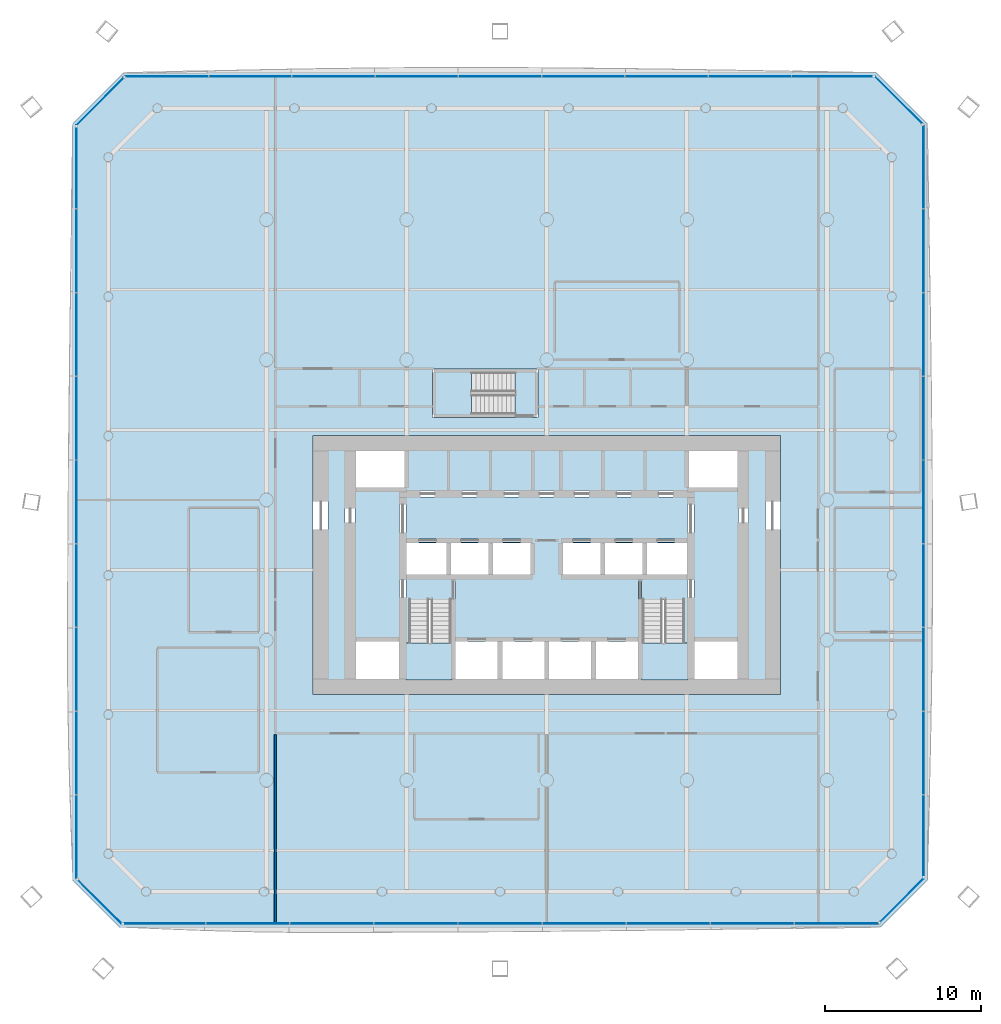
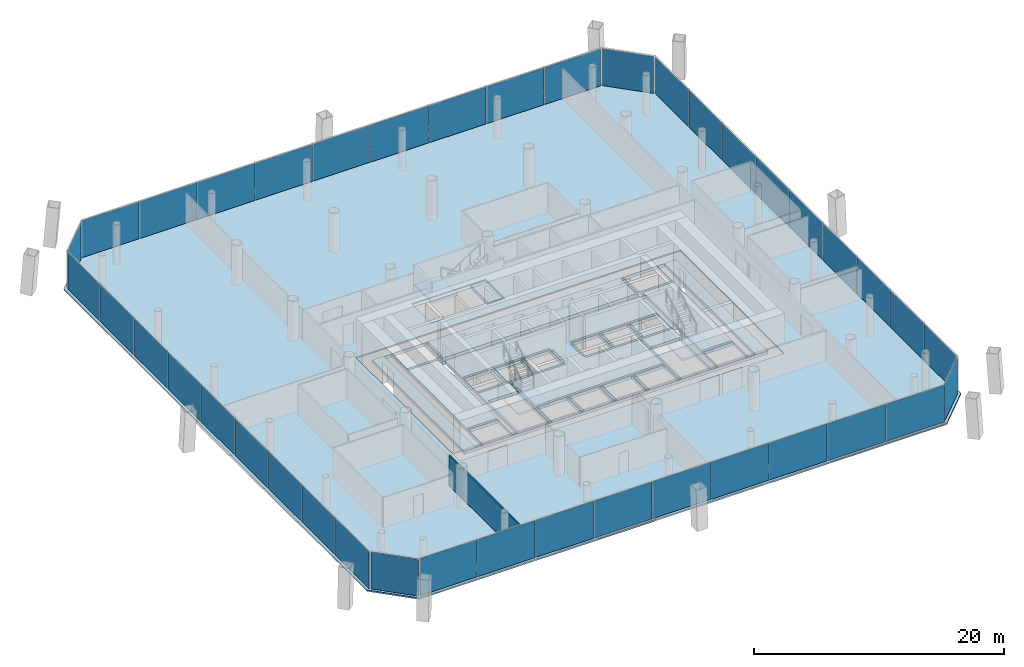
# One storey, part 13 of 22: 40 plates, 6 slabs, 1 wall, 11 elements without a shape of their own.
"""IFC4 building model written with IfcOpenShell, lengths in metres."""

import ifcopenshell
import ifcopenshell.guid

model = None  # the IFC model being written
_history = None  # IfcOwnerHistory: only IFC2X3 demands one
_inside = {}  # id of a spatial element -> (the spatial element, [elements in it])
_under = {}  # id of a project, library or spatial element -> (it, [spatial elements below it])
_declared = {}  # id of a project -> (the project, [libraries it declares])
_typed = {}  # id of a type object -> (the type object, [elements of that type])
_made_of = {}  # id of a material, layer set ... -> (it, [elements and type objects made of it])


def new_model(schema):
    """Start an empty IFC model of exactly this schema.

    Asked for "IFC4X3", IfcOpenShell would pick the latest addendum, in which some entities
    have other attributes; the version numbers below select the first issue.
    IFC2X3 requires an IfcOwnerHistory on every rooted entity: one is made here for all.
    """
    global model, _history
    if schema == "IFC4X3":
        model = ifcopenshell.file(schema_version=(4, 3, 0, 0))
    else:
        model = ifcopenshell.file(schema=schema)
    _inside.clear()
    _under.clear()
    _declared.clear()
    _typed.clear()
    _made_of.clear()
    _history = None
    if model.schema == "IFC2X3":
        org = make("IfcOrganization", Name="unknown")
        user = make(
            "IfcPersonAndOrganization",
            ThePerson=make("IfcPerson", FamilyName="unknown"),
            TheOrganization=org,
        )
        app = make(
            "IfcApplication",
            ApplicationDeveloper=org,
            Version="unknown",
            ApplicationFullName="unknown",
            ApplicationIdentifier="unknown",
        )
        _history = make(
            "IfcOwnerHistory",
            OwningUser=user,
            OwningApplication=app,
            ChangeAction="ADDED",
            CreationDate=0,
        )
    return model


def make(cls, **values):
    """One entity of the class cls with the attributes given. An attribute that is None is left unset."""
    return model.create_entity(
        cls, **{name: value for name, value in values.items() if value is not None}
    )


def rooted(cls, **values):
    """An entity with a GlobalId (a new one), such as an element, a storey or a relation."""
    return make(cls, GlobalId=ifcopenshell.guid.new(), OwnerHistory=_history, **values)


def si_unit(unit_type, name, prefix=None):
    """IfcSIUnit, for example si_unit("LENGTHUNIT", "METRE", prefix="MILLI")."""
    return make("IfcSIUnit", UnitType=unit_type, Prefix=prefix, Name=name)


def assignment(units):
    """IfcUnitAssignment: the units of a project."""
    return None if units is None else make("IfcUnitAssignment", Units=units)


def point(xyz):
    """IfcCartesianPoint."""
    return None if xyz is None else make("IfcCartesianPoint", Coordinates=xyz)


def direction(xyz):
    """IfcDirection."""
    return None if xyz is None else make("IfcDirection", DirectionRatios=xyz)


def frame(location, z_axis=None, x_axis=None):
    """IfcAxis2Placement3D, a coordinate frame: its origin and axes. An axis left out is left unset."""
    return make(
        "IfcAxis2Placement3D",
        Location=point(location),
        Axis=direction(z_axis),
        RefDirection=direction(x_axis),
    )


def frame_2d(location, x_axis=None):
    """IfcAxis2Placement2D, a coordinate frame in the plane: its origin and x axis."""
    return make(
        "IfcAxis2Placement2D", Location=point(location), RefDirection=direction(x_axis)
    )


def origin():
    """The frame at (0, 0, 0) with its axes left unset."""
    return frame((0.0, 0.0, 0.0))


def origin_2d():
    """The frame at (0, 0) in the plane with its x axis left unset."""
    return frame_2d((0.0, 0.0))


def place(relative_to, where):
    """IfcLocalPlacement: puts the frame where relative to a parent placement (None: the world)."""
    return make(
        "IfcLocalPlacement", PlacementRelTo=relative_to, RelativePlacement=where
    )


def context(
    kind, dimensions, precision=None, world=None, true_north=None, identifier=None
):
    """IfcGeometricRepresentationContext, for example the 3D "Model" context."""
    return make(
        "IfcGeometricRepresentationContext",
        ContextIdentifier=identifier,
        ContextType=kind,
        CoordinateSpaceDimension=dimensions,
        Precision=precision,
        WorldCoordinateSystem=world,
        TrueNorth=true_north,
    )


def subcontext(parent, identifier, kind, view, scale=None):
    """IfcGeometricRepresentationSubContext, for example "Body" below "Model"."""
    return make(
        "IfcGeometricRepresentationSubContext",
        ContextIdentifier=identifier,
        ContextType=kind,
        ParentContext=parent,
        TargetScale=scale,
        TargetView=view,
    )


def project(units=None, contexts=None):
    """IfcProject with its units and contexts."""
    return rooted(
        "IfcProject",
        Name="project",
        RepresentationContexts=contexts,
        UnitsInContext=assignment(units),
    )


def spatial(cls, under=None, at=None, **own):
    """A site, building, storey or space (cls), placed at a placement, below another one or the project."""
    s = rooted(cls, ObjectPlacement=at, **own)
    if under is not None:
        _under.setdefault(under.id(), (under, []))[1].append(s)
    return s


def polyline(points):
    """IfcPolyline through the points."""
    return make("IfcPolyline", Points=[point(p) for p in points])


def profile(cls, at=None, kind="AREA", **sizes):
    """A parametric profile (cls). Its sizes go by their IFC names, for example OverallWidth=200.0."""
    return make(cls, ProfileType=kind, Position=at, **sizes)


def rectangle(**sizes):
    """IfcRectangleProfileDef."""
    return profile("IfcRectangleProfileDef", **sizes)


def outline(outer, holes=None, kind="AREA"):
    """IfcArbitraryClosedProfileDef: a profile drawn as a closed curve; with holes, ...WithVoids."""
    if holes is None:
        return make("IfcArbitraryClosedProfileDef", ProfileType=kind, OuterCurve=outer)
    return make(
        "IfcArbitraryProfileDefWithVoids",
        ProfileType=kind,
        OuterCurve=outer,
        InnerCurves=holes,
    )


def extrude(swept, where, along, depth):
    """IfcExtrudedAreaSolid: the profile swept, set in the frame where, extruded along a direction by depth."""
    return make(
        "IfcExtrudedAreaSolid",
        SweptArea=swept,
        Position=where,
        ExtrudedDirection=direction(along),
        Depth=depth,
    )


def shape(context_of_items, identifier, shape_type, items):
    """IfcShapeRepresentation: the items that make up one representation, for example the "Body"."""
    return make(
        "IfcShapeRepresentation",
        ContextOfItems=context_of_items,
        RepresentationIdentifier=identifier,
        RepresentationType=shape_type,
        Items=items,
    )


def material(Name=None, Category=None):
    """IfcMaterial."""
    return make("IfcMaterial", Name=Name, Category=Category)


def layer(
    of_material, thickness, ventilated=None, Name=None, Category=None, Priority=None
):
    """IfcMaterialLayer: one layer of a wall or slab, of a material (None: an air gap)."""
    return make(
        "IfcMaterialLayer",
        Material=of_material,
        LayerThickness=thickness,
        IsVentilated=ventilated,
        Name=Name,
        Category=Category,
        Priority=Priority,
    )


def layer_set(layers, Name=None):
    """IfcMaterialLayerSet."""
    return make("IfcMaterialLayerSet", MaterialLayers=layers, LayerSetName=Name)


def made_of(thing, what):
    """Note that an element or type object is made of a material, layer set ...; save() writes the relation."""
    if what is not None:
        _made_of.setdefault(what.id(), (what, []))[1].append(thing)
    return thing


def type_object(cls, material=None, **own):
    """A type object (cls), such as IfcWallType, which elements share."""
    return made_of(rooted(cls, **own), material)


def element(
    cls,
    number,
    at=None,
    inside=None,
    cuts=None,
    type_object=None,
    material=None,
    context=None,
    identifier="Body",
    shape_type=None,
    held_by="IfcProductDefinitionShape",
    body=None,
    shapes=None,
    **own,
):
    """One element of the class cls, such as IfcWall. Its Tag is "e" and its number.

    at: its placement. inside: the storey or other place that contains it. cuts: it is an
    opening in that element (IfcRelVoidsElement). A single representation is given by context,
    identifier, shape_type and body (its items); several are given by shapes. held_by: the class
    of the entity that holds the representations. save() writes the other relations.
    """
    e = rooted(cls, Tag="e%d" % number, ObjectPlacement=at, **own)
    if body is not None:
        shapes = [shape(context, identifier, shape_type, body)]
    if shapes is not None:
        e.Representation = make(held_by, Representations=shapes)
    if inside is not None:
        _inside.setdefault(inside.id(), (inside, []))[1].append(e)
    if cuts is not None:
        rooted(
            "IfcRelVoidsElement", RelatingBuildingElement=cuts, RelatedOpeningElement=e
        )
    if type_object is not None:
        _typed.setdefault(type_object.id(), (type_object, []))[1].append(e)
    return made_of(e, material)


def aggregate(whole, parts):
    """IfcRelAggregates: a whole, such as a stair, and the parts it consists of."""
    return rooted("IfcRelAggregates", RelatingObject=whole, RelatedObjects=parts)


def save(model, path):
    """Write the relations noted so far, then the file.

    IfcRelAggregates (storeys below a building ...), IfcRelContainedInSpatialStructure (elements
    in a storey), IfcRelDefinesByType, IfcRelAssociatesMaterial and IfcRelDeclares: one each for
    every whole, place, type object, material and project.
    """
    for whole, parts in _under.values():
        aggregate(whole, parts)
    for where, things in _inside.values():
        rooted(
            "IfcRelContainedInSpatialStructure",
            RelatedElements=things,
            RelatingStructure=where,
        )
    for kind, things in _typed.values():
        rooted("IfcRelDefinesByType", RelatedObjects=things, RelatingType=kind)
    for what, things in _made_of.values():
        rooted("IfcRelAssociatesMaterial", RelatedObjects=things, RelatingMaterial=what)
    for by, libraries in _declared.values():
        rooted("IfcRelDeclares", RelatingContext=by, RelatedDefinitions=libraries)
    model.write(path)


model = new_model("IFC4")

# Units and contexts
model_context = context("Model", 3, precision=1e-05, world=origin(), true_north=direction((0.0, 1.0)))
body_context = subcontext(model_context, "Body", "Model", "MODEL_VIEW")
ifc_project = project(units=[si_unit("LENGTHUNIT", "METRE"), si_unit("AREAUNIT", "SQUARE_METRE"), si_unit("VOLUMEUNIT", "CUBIC_METRE"), si_unit("PLANEANGLEUNIT", "RADIAN"), si_unit("MASSUNIT", "GRAM", prefix="KILO")], contexts=[model_context])

# Site, building, storey
site_placement = place(None, origin())
site = spatial("IfcSite", under=ifc_project, at=site_placement, CompositionType="ELEMENT")
building_placement = place(site_placement, origin())
building = spatial("IfcBuilding", under=site, at=building_placement, Name="Tskaro Facet Tower", CompositionType="ELEMENT")
storey_placement = place(building_placement, frame((0.0, 0.0, 26.39990234375)))
storey = spatial("IfcBuildingStorey", under=building, at=storey_placement, Name="L05", CompositionType="ELEMENT", Elevation=26.39990234375)

# Slab
ifc_material_1 = material(Name="Concrete C30/37", Category="concrete")
ifc_layer_1 = layer(ifc_material_1, 0.139892578125, Name="Concrete C30/37")
ifc_layer_set_1 = layer_set([ifc_layer_1], Name="Concrete C30/37")
slab_type_1 = type_object("IfcSlabType", Name="Composite deck floor slab", PredefinedType="FLOOR", material=ifc_layer_set_1)
slab_1_placement = place(storey_placement, frame((0.0, 0.0, -0.139892578125)))
element("IfcSlab", 1, at=slab_1_placement, inside=storey, type_object=slab_type_1, Name="Floor slab FS3 L05", PredefinedType="FLOOR", context=body_context, shape_type="SweptSolid", body=[
    extrude(outline(polyline([(-27.408935546875, -27.451904296875), (21.408935546875, -27.451904296875), (24.451904296875, -24.408935546875), (24.451904296875, 24.169921875), (21.169921875, 27.451904296875), (-27.169921875, 27.451904296875), (-30.451904296875, 24.169921875), (-30.451904296875, -24.408935546875), (-27.408935546875, -27.451904296875)]), holes=[polyline([(-15.0, -12.5), (15.0, -12.5), (15.0, 4.14990234375), (-15.0, 4.14990234375), (-15.0, -12.5)]), polyline([(-7.35009765625, 5.300048828125), (-0.550048828125, 5.300048828125), (-0.550048828125, 8.39990234375), (-7.35009765625, 8.39990234375), (-7.35009765625, 5.300048828125)])]), origin(), (0.0, 0.0, 1.0), 0.139892578125),
])

# Curtain wall, plates
ifc_material_2 = material(Name="Bronze anodised aluminium 6063-T6", Category="aluminium")
curtain_wall_type = type_object("IfcCurtainWallType", Name="Bronze office curtain wall (FW1)", PredefinedType="NOTDEFINED", material=ifc_material_2)
curtain_wall_1_placement = place(storey_placement, origin())
curtain_wall_1 = element("IfcCurtainWall", 2, at=curtain_wall_1_placement, inside=storey, type_object=curtain_wall_type, Name="FW1 south facet L05", PredefinedType="NOTDEFINED")
ifc_material_3 = material(Name="Bronze tinted glass", Category="glass")
ifc_layer_2 = layer(ifc_material_3, 0.031982421875, Name="Bronze tinted glass")
ifc_layer_set_2 = layer_set([ifc_layer_2], Name="Bronze tinted glass")
plate_type = type_object("IfcPlateType", Name="FW1 bronze-tinted unit glazing 32", PredefinedType="CURTAIN_PANEL", material=ifc_layer_set_2)
plate_1_placement = place(storey_placement, frame((-24.53955078125, -27.201904296875, 0.0), z_axis=(0.0, 0.0, 1.0), x_axis=(1.0, 0.0, 0.0)))
plate_1 = element("IfcPlate", 3, at=plate_1_placement, type_object=plate_type, Name="FW1 south glazing 1.1", PredefinedType="CURTAIN_PANEL", context=body_context, shape_type="SweptSolid", body=[
    extrude(rectangle(XDim=5.211181640625, YDim=0.031982421875, at=origin_2d()), origin(), (0.0, 0.0, 1.0), 3.60009765625),
])
plate_2_placement = place(storey_placement, frame((-19.203369140625, -27.201904296875, 0.0), z_axis=(0.0, 0.0, 1.0), x_axis=(1.0, 0.0, 0.0)))
plate_2 = element("IfcPlate", 4, at=plate_2_placement, type_object=plate_type, Name="FW1 south glazing 2.1", PredefinedType="CURTAIN_PANEL", context=body_context, shape_type="SweptSolid", body=[
    extrude(rectangle(XDim=5.341064453125, YDim=0.031982421875, at=origin_2d()), origin(), (0.0, 0.0, 1.0), 3.60009765625),
])
plate_3_placement = place(storey_placement, frame((-13.80224609375, -27.201904296875, 0.0), z_axis=(0.0, 0.0, 1.0), x_axis=(1.0, 0.0, 0.0)))
plate_3 = element("IfcPlate", 5, at=plate_3_placement, type_object=plate_type, Name="FW1 south glazing 3.1", PredefinedType="CURTAIN_PANEL", context=body_context, shape_type="SweptSolid", body=[
    extrude(rectangle(XDim=5.341064453125, YDim=0.031982421875, at=origin_2d()), origin(), (0.0, 0.0, 1.0), 3.60009765625),
])
plate_4_placement = place(storey_placement, frame((-8.401123046875, -27.201904296875, 0.0), z_axis=(0.0, 0.0, 1.0), x_axis=(1.0, 0.0, 0.0)))
plate_4 = element("IfcPlate", 6, at=plate_4_placement, type_object=plate_type, Name="FW1 south glazing 4.1", PredefinedType="CURTAIN_PANEL", context=body_context, shape_type="SweptSolid", body=[
    extrude(rectangle(XDim=5.341064453125, YDim=0.031982421875, at=origin_2d()), origin(), (0.0, 0.0, 1.0), 3.60009765625),
])
plate_5_placement = place(storey_placement, frame((-3.0, -27.201904296875, 0.0), z_axis=(0.0, 0.0, 1.0), x_axis=(1.0, 0.0, 0.0)))
plate_5 = element("IfcPlate", 7, at=plate_5_placement, type_object=plate_type, Name="FW1 south glazing 5.1", PredefinedType="CURTAIN_PANEL", context=body_context, shape_type="SweptSolid", body=[
    extrude(rectangle(XDim=5.341064453125, YDim=0.031982421875, at=origin_2d()), origin(), (0.0, 0.0, 1.0), 3.60009765625),
])
plate_6_placement = place(storey_placement, frame((2.401123046875, -27.201904296875, 0.0), z_axis=(0.0, 0.0, 1.0), x_axis=(1.0, 0.0, 0.0)))
plate_6 = element("IfcPlate", 8, at=plate_6_placement, type_object=plate_type, Name="FW1 south glazing 6.1", PredefinedType="CURTAIN_PANEL", context=body_context, shape_type="SweptSolid", body=[
    extrude(rectangle(XDim=5.341064453125, YDim=0.031982421875, at=origin_2d()), origin(), (0.0, 0.0, 1.0), 3.60009765625),
])
plate_7_placement = place(storey_placement, frame((7.80224609375, -27.201904296875, 0.0), z_axis=(0.0, 0.0, 1.0), x_axis=(1.0, 0.0, 0.0)))
plate_7 = element("IfcPlate", 9, at=plate_7_placement, type_object=plate_type, Name="FW1 south glazing 7.1", PredefinedType="CURTAIN_PANEL", context=body_context, shape_type="SweptSolid", body=[
    extrude(rectangle(XDim=5.341064453125, YDim=0.031982421875, at=origin_2d()), origin(), (0.0, 0.0, 1.0), 3.60009765625),
])
plate_8_placement = place(storey_placement, frame((13.203369140625, -27.201904296875, 0.0), z_axis=(0.0, 0.0, 1.0), x_axis=(1.0, 0.0, 0.0)))
plate_8 = element("IfcPlate", 10, at=plate_8_placement, type_object=plate_type, Name="FW1 south glazing 8.1", PredefinedType="CURTAIN_PANEL", context=body_context, shape_type="SweptSolid", body=[
    extrude(rectangle(XDim=5.341064453125, YDim=0.031982421875, at=origin_2d()), origin(), (0.0, 0.0, 1.0), 3.60009765625),
])
plate_9_placement = place(storey_placement, frame((18.619384765625, -27.201904296875, 0.0), z_axis=(0.0, 0.0, 1.0), x_axis=(1.0, 0.0, 0.0)))
plate_9 = element("IfcPlate", 11, at=plate_9_placement, type_object=plate_type, Name="FW1 south glazing 9.1", PredefinedType="CURTAIN_PANEL", context=body_context, shape_type="SweptSolid", body=[
    extrude(rectangle(XDim=5.37109375, YDim=0.031982421875, at=origin_2d()), origin(), (0.0, 0.0, 1.0), 3.60009765625),
])
aggregate(curtain_wall_1, [plate_1, plate_2, plate_3, plate_4, plate_5, plate_6, plate_7, plate_8, plate_9])

# Curtain wall, plate
curtain_wall_2_placement = place(storey_placement, origin())
curtain_wall_2 = element("IfcCurtainWall", 12, at=curtain_wall_2_placement, inside=storey, type_object=curtain_wall_type, Name="FW1 south-east facet L05", PredefinedType="NOTDEFINED")
plate_10_placement = place(storey_placement, frame((22.81005859375, -25.697021484375, 0.0), z_axis=(0.0, 0.0, 1.0), x_axis=(0.707106781187, 0.707106781187, 0.0)))
plate_10 = element("IfcPlate", 13, at=plate_10_placement, type_object=plate_type, Name="FW1 south-east glazing 1.1", PredefinedType="CURTAIN_PANEL", context=body_context, shape_type="SweptSolid", body=[
    extrude(rectangle(XDim=3.93701171875, YDim=0.031982421875, at=origin_2d()), origin(), (0.0, 0.0, 1.0), 3.60009765625),
])
aggregate(curtain_wall_2, [plate_10])

# Curtain wall, plates
curtain_wall_3_placement = place(storey_placement, origin())
curtain_wall_3 = element("IfcCurtainWall", 14, at=curtain_wall_3_placement, inside=storey, type_object=curtain_wall_type, Name="FW1 east facet L05", PredefinedType="NOTDEFINED")
plate_11_placement = place(storey_placement, frame((24.201904296875, -21.552734375, 0.0), z_axis=(0.0, 0.0, 1.0), x_axis=(0.0, 1.0, 0.0)))
plate_11 = element("IfcPlate", 15, at=plate_11_placement, type_object=plate_type, Name="FW1 east glazing 1.1", PredefinedType="CURTAIN_PANEL", context=body_context, shape_type="SweptSolid", body=[
    extrude(rectangle(XDim=5.1845703125, YDim=0.031982421875, at=origin_2d()), origin(), (0.0, 0.0, 1.0), 3.60009765625),
])
plate_12_placement = place(storey_placement, frame((24.201904296875, -16.2431640625, 0.0), z_axis=(0.0, 0.0, 1.0), x_axis=(0.0, 1.0, 0.0)))
plate_12 = element("IfcPlate", 16, at=plate_12_placement, type_object=plate_type, Name="FW1 east glazing 2.1", PredefinedType="CURTAIN_PANEL", context=body_context, shape_type="SweptSolid", body=[
    extrude(rectangle(XDim=5.314453125, YDim=0.031982421875, at=origin_2d()), origin(), (0.0, 0.0, 1.0), 3.60009765625),
])
plate_13_placement = place(storey_placement, frame((24.201904296875, -10.86865234375, 0.0), z_axis=(0.0, 0.0, 1.0), x_axis=(0.0, 1.0, 0.0)))
plate_13 = element("IfcPlate", 17, at=plate_13_placement, type_object=plate_type, Name="FW1 east glazing 3.1", PredefinedType="CURTAIN_PANEL", context=body_context, shape_type="SweptSolid", body=[
    extrude(rectangle(XDim=5.314453125, YDim=0.031982421875, at=origin_2d()), origin(), (0.0, 0.0, 1.0), 3.60009765625),
])
plate_14_placement = place(storey_placement, frame((24.201904296875, -5.494140625, 0.0), z_axis=(0.0, 0.0, 1.0), x_axis=(0.0, 1.0, 0.0)))
plate_14 = element("IfcPlate", 18, at=plate_14_placement, type_object=plate_type, Name="FW1 east glazing 4.1", PredefinedType="CURTAIN_PANEL", context=body_context, shape_type="SweptSolid", body=[
    extrude(rectangle(XDim=5.314453125, YDim=0.031982421875, at=origin_2d()), origin(), (0.0, 0.0, 1.0), 3.60009765625),
])
plate_15_placement = place(storey_placement, frame((24.201904296875, -0.119384765625, 0.0), z_axis=(0.0, 0.0, 1.0), x_axis=(0.0, 1.0, 0.0)))
plate_15 = element("IfcPlate", 19, at=plate_15_placement, type_object=plate_type, Name="FW1 east glazing 5.1", PredefinedType="CURTAIN_PANEL", context=body_context, shape_type="SweptSolid", body=[
    extrude(rectangle(XDim=5.314453125, YDim=0.031982421875, at=origin_2d()), origin(), (0.0, 0.0, 1.0), 3.60009765625),
])
plate_16_placement = place(storey_placement, frame((24.201904296875, 5.255126953125, 0.0), z_axis=(0.0, 0.0, 1.0), x_axis=(0.0, 1.0, 0.0)))
plate_16 = element("IfcPlate", 20, at=plate_16_placement, type_object=plate_type, Name="FW1 east glazing 6.1", PredefinedType="CURTAIN_PANEL", context=body_context, shape_type="SweptSolid", body=[
    extrude(rectangle(XDim=5.314453125, YDim=0.031982421875, at=origin_2d()), origin(), (0.0, 0.0, 1.0), 3.60009765625),
])
plate_17_placement = place(storey_placement, frame((24.201904296875, 10.629638671875, 0.0), z_axis=(0.0, 0.0, 1.0), x_axis=(0.0, 1.0, 0.0)))
plate_17 = element("IfcPlate", 21, at=plate_17_placement, type_object=plate_type, Name="FW1 east glazing 7.1", PredefinedType="CURTAIN_PANEL", context=body_context, shape_type="SweptSolid", body=[
    extrude(rectangle(XDim=5.314453125, YDim=0.031982421875, at=origin_2d()), origin(), (0.0, 0.0, 1.0), 3.60009765625),
])
plate_18_placement = place(storey_placement, frame((24.201904296875, 16.004150390625, 0.0), z_axis=(0.0, 0.0, 1.0), x_axis=(0.0, 1.0, 0.0)))
plate_18 = element("IfcPlate", 22, at=plate_18_placement, type_object=plate_type, Name="FW1 east glazing 8.1", PredefinedType="CURTAIN_PANEL", context=body_context, shape_type="SweptSolid", body=[
    extrude(rectangle(XDim=5.314453125, YDim=0.031982421875, at=origin_2d()), origin(), (0.0, 0.0, 1.0), 3.60009765625),
])
plate_19_placement = place(storey_placement, frame((24.201904296875, 21.393798828125, 0.0), z_axis=(0.0, 0.0, 1.0), x_axis=(0.0, 1.0, 0.0)))
plate_19 = element("IfcPlate", 23, at=plate_19_placement, type_object=plate_type, Name="FW1 east glazing 9.1", PredefinedType="CURTAIN_PANEL", context=body_context, shape_type="SweptSolid", body=[
    extrude(rectangle(XDim=5.344482421875, YDim=0.031982421875, at=origin_2d()), origin(), (0.0, 0.0, 1.0), 3.60009765625),
])
aggregate(curtain_wall_3, [plate_11, plate_12, plate_13, plate_14, plate_15, plate_16, plate_17, plate_18, plate_19])

# Curtain wall, plate
curtain_wall_4_placement = place(storey_placement, origin())
curtain_wall_4 = element("IfcCurtainWall", 24, at=curtain_wall_4_placement, inside=storey, type_object=curtain_wall_type, Name="FW1 north-east facet L05", PredefinedType="NOTDEFINED")
plate_20_placement = place(storey_placement, frame((22.577392578125, 25.690673828125, 0.0), z_axis=(0.0, 0.0, 1.0), x_axis=(-0.707106781187, 0.707106781187, 0.0)))
plate_20 = element("IfcPlate", 25, at=plate_20_placement, type_object=plate_type, Name="FW1 north-east glazing 1.1", PredefinedType="CURTAIN_PANEL", context=body_context, shape_type="SweptSolid", body=[
    extrude(rectangle(XDim=4.27490234375, YDim=0.031982421875, at=origin_2d()), origin(), (0.0, 0.0, 1.0), 3.60009765625),
])
aggregate(curtain_wall_4, [plate_20])

# Curtain wall, plates
curtain_wall_5_placement = place(storey_placement, origin())
curtain_wall_5 = element("IfcCurtainWall", 26, at=curtain_wall_5_placement, inside=storey, type_object=curtain_wall_type, Name="FW1 north facet L05", PredefinedType="NOTDEFINED")
plate_21_placement = place(storey_placement, frame((18.326904296875, 27.201904296875, 0.0), z_axis=(0.0, 0.0, 1.0), x_axis=(-1.0, 0.0, 0.0)))
plate_21 = element("IfcPlate", 27, at=plate_21_placement, type_object=plate_type, Name="FW1 north glazing 1.1", PredefinedType="CURTAIN_PANEL", context=body_context, shape_type="SweptSolid", body=[
    extrude(rectangle(XDim=5.157958984375, YDim=0.031982421875, at=origin_2d()), origin(), (0.0, 0.0, 1.0), 3.60009765625),
])
plate_22_placement = place(storey_placement, frame((13.0439453125, 27.201904296875, 0.0), z_axis=(0.0, 0.0, 1.0), x_axis=(-1.0, 0.0, 0.0)))
plate_22 = element("IfcPlate", 28, at=plate_22_placement, type_object=plate_type, Name="FW1 north glazing 2.1", PredefinedType="CURTAIN_PANEL", context=body_context, shape_type="SweptSolid", body=[
    extrude(rectangle(XDim=5.2880859375, YDim=0.031982421875, at=origin_2d()), origin(), (0.0, 0.0, 1.0), 3.60009765625),
])
plate_23_placement = place(storey_placement, frame((7.696044921875, 27.201904296875, 0.0), z_axis=(0.0, 0.0, 1.0), x_axis=(-1.0, 0.0, 0.0)))
plate_23 = element("IfcPlate", 29, at=plate_23_placement, type_object=plate_type, Name="FW1 north glazing 3.1", PredefinedType="CURTAIN_PANEL", context=body_context, shape_type="SweptSolid", body=[
    extrude(rectangle(XDim=5.2880859375, YDim=0.031982421875, at=origin_2d()), origin(), (0.0, 0.0, 1.0), 3.60009765625),
])
plate_24_placement = place(storey_placement, frame((2.347900390625, 27.201904296875, 0.0), z_axis=(0.0, 0.0, 1.0), x_axis=(-1.0, 0.0, 0.0)))
plate_24 = element("IfcPlate", 30, at=plate_24_placement, type_object=plate_type, Name="FW1 north glazing 4.1", PredefinedType="CURTAIN_PANEL", context=body_context, shape_type="SweptSolid", body=[
    extrude(rectangle(XDim=5.2880859375, YDim=0.031982421875, at=origin_2d()), origin(), (0.0, 0.0, 1.0), 3.60009765625),
])
plate_25_placement = place(storey_placement, frame((-3.0, 27.201904296875, 0.0), z_axis=(0.0, 0.0, 1.0), x_axis=(-1.0, 0.0, 0.0)))
plate_25 = element("IfcPlate", 31, at=plate_25_placement, type_object=plate_type, Name="FW1 north glazing 5.1", PredefinedType="CURTAIN_PANEL", context=body_context, shape_type="SweptSolid", body=[
    extrude(rectangle(XDim=5.2880859375, YDim=0.031982421875, at=origin_2d()), origin(), (0.0, 0.0, 1.0), 3.60009765625),
])
plate_26_placement = place(storey_placement, frame((-8.347900390625, 27.201904296875, 0.0), z_axis=(0.0, 0.0, 1.0), x_axis=(-1.0, 0.0, 0.0)))
plate_26 = element("IfcPlate", 32, at=plate_26_placement, type_object=plate_type, Name="FW1 north glazing 6.1", PredefinedType="CURTAIN_PANEL", context=body_context, shape_type="SweptSolid", body=[
    extrude(rectangle(XDim=5.2880859375, YDim=0.031982421875, at=origin_2d()), origin(), (0.0, 0.0, 1.0), 3.60009765625),
])
plate_27_placement = place(storey_placement, frame((-13.696044921875, 27.201904296875, 0.0), z_axis=(0.0, 0.0, 1.0), x_axis=(-1.0, 0.0, 0.0)))
plate_27 = element("IfcPlate", 33, at=plate_27_placement, type_object=plate_type, Name="FW1 north glazing 7.1", PredefinedType="CURTAIN_PANEL", context=body_context, shape_type="SweptSolid", body=[
    extrude(rectangle(XDim=5.2880859375, YDim=0.031982421875, at=origin_2d()), origin(), (0.0, 0.0, 1.0), 3.60009765625),
])
plate_28_placement = place(storey_placement, frame((-19.0439453125, 27.201904296875, 0.0), z_axis=(0.0, 0.0, 1.0), x_axis=(-1.0, 0.0, 0.0)))
plate_28 = element("IfcPlate", 34, at=plate_28_placement, type_object=plate_type, Name="FW1 north glazing 8.1", PredefinedType="CURTAIN_PANEL", context=body_context, shape_type="SweptSolid", body=[
    extrude(rectangle(XDim=5.2880859375, YDim=0.031982421875, at=origin_2d()), origin(), (0.0, 0.0, 1.0), 3.60009765625),
])
plate_29_placement = place(storey_placement, frame((-24.406982421875, 27.201904296875, 0.0), z_axis=(0.0, 0.0, 1.0), x_axis=(-1.0, 0.0, 0.0)))
plate_29 = element("IfcPlate", 35, at=plate_29_placement, type_object=plate_type, Name="FW1 north glazing 9.1", PredefinedType="CURTAIN_PANEL", context=body_context, shape_type="SweptSolid", body=[
    extrude(rectangle(XDim=5.318115234375, YDim=0.031982421875, at=origin_2d()), origin(), (0.0, 0.0, 1.0), 3.60009765625),
])
aggregate(curtain_wall_5, [plate_21, plate_22, plate_23, plate_24, plate_25, plate_26, plate_27, plate_28, plate_29])

# Curtain wall, plate
curtain_wall_6_placement = place(storey_placement, origin())
curtain_wall_6 = element("IfcCurtainWall", 36, at=curtain_wall_6_placement, inside=storey, type_object=curtain_wall_type, Name="FW1 north-west facet L05", PredefinedType="NOTDEFINED")
plate_30_placement = place(storey_placement, frame((-28.690673828125, 25.577392578125, 0.0), z_axis=(0.0, 0.0, 1.0), x_axis=(-0.707106781187, -0.707106781187, 0.0)))
plate_30 = element("IfcPlate", 37, at=plate_30_placement, type_object=plate_type, Name="FW1 north-west glazing 1.1", PredefinedType="CURTAIN_PANEL", context=body_context, shape_type="SweptSolid", body=[
    extrude(rectangle(XDim=4.27490234375, YDim=0.031982421875, at=origin_2d()), origin(), (0.0, 0.0, 1.0), 3.60009765625),
])
aggregate(curtain_wall_6, [plate_30])

# Curtain wall, plates
curtain_wall_7_placement = place(storey_placement, origin())
curtain_wall_7 = element("IfcCurtainWall", 38, at=curtain_wall_7_placement, inside=storey, type_object=curtain_wall_type, Name="FW1 west facet L05", PredefinedType="NOTDEFINED")
plate_31_placement = place(storey_placement, frame((-30.201904296875, 21.313720703125, 0.0), z_axis=(0.0, 0.0, 1.0), x_axis=(0.0, -1.0, 0.0)))
plate_31 = element("IfcPlate", 39, at=plate_31_placement, type_object=plate_type, Name="FW1 west glazing 1.1", PredefinedType="CURTAIN_PANEL", context=body_context, shape_type="SweptSolid", body=[
    extrude(rectangle(XDim=5.1845703125, YDim=0.031982421875, at=origin_2d()), origin(), (0.0, 0.0, 1.0), 3.60009765625),
])
plate_32_placement = place(storey_placement, frame((-30.201904296875, 16.004150390625, 0.0), z_axis=(0.0, 0.0, 1.0), x_axis=(0.0, -1.0, 0.0)))
plate_32 = element("IfcPlate", 40, at=plate_32_placement, type_object=plate_type, Name="FW1 west glazing 2.1", PredefinedType="CURTAIN_PANEL", context=body_context, shape_type="SweptSolid", body=[
    extrude(rectangle(XDim=5.314453125, YDim=0.031982421875, at=origin_2d()), origin(), (0.0, 0.0, 1.0), 3.60009765625),
])
plate_33_placement = place(storey_placement, frame((-30.201904296875, 10.629638671875, 0.0), z_axis=(0.0, 0.0, 1.0), x_axis=(0.0, -1.0, 0.0)))
plate_33 = element("IfcPlate", 41, at=plate_33_placement, type_object=plate_type, Name="FW1 west glazing 3.1", PredefinedType="CURTAIN_PANEL", context=body_context, shape_type="SweptSolid", body=[
    extrude(rectangle(XDim=5.314453125, YDim=0.031982421875, at=origin_2d()), origin(), (0.0, 0.0, 1.0), 3.60009765625),
])
plate_34_placement = place(storey_placement, frame((-30.201904296875, 5.255126953125, 0.0), z_axis=(0.0, 0.0, 1.0), x_axis=(0.0, -1.0, 0.0)))
plate_34 = element("IfcPlate", 42, at=plate_34_placement, type_object=plate_type, Name="FW1 west glazing 4.1", PredefinedType="CURTAIN_PANEL", context=body_context, shape_type="SweptSolid", body=[
    extrude(rectangle(XDim=5.314453125, YDim=0.031982421875, at=origin_2d()), origin(), (0.0, 0.0, 1.0), 3.60009765625),
])
plate_35_placement = place(storey_placement, frame((-30.201904296875, -0.119384765625, 0.0), z_axis=(0.0, 0.0, 1.0), x_axis=(0.0, -1.0, 0.0)))
plate_35 = element("IfcPlate", 43, at=plate_35_placement, type_object=plate_type, Name="FW1 west glazing 5.1", PredefinedType="CURTAIN_PANEL", context=body_context, shape_type="SweptSolid", body=[
    extrude(rectangle(XDim=5.314453125, YDim=0.031982421875, at=origin_2d()), origin(), (0.0, 0.0, 1.0), 3.60009765625),
])
plate_36_placement = place(storey_placement, frame((-30.201904296875, -5.494140625, 0.0), z_axis=(0.0, 0.0, 1.0), x_axis=(0.0, -1.0, 0.0)))
plate_36 = element("IfcPlate", 44, at=plate_36_placement, type_object=plate_type, Name="FW1 west glazing 6.1", PredefinedType="CURTAIN_PANEL", context=body_context, shape_type="SweptSolid", body=[
    extrude(rectangle(XDim=5.314453125, YDim=0.031982421875, at=origin_2d()), origin(), (0.0, 0.0, 1.0), 3.60009765625),
])
plate_37_placement = place(storey_placement, frame((-30.201904296875, -10.86865234375, 0.0), z_axis=(0.0, 0.0, 1.0), x_axis=(0.0, -1.0, 0.0)))
plate_37 = element("IfcPlate", 45, at=plate_37_placement, type_object=plate_type, Name="FW1 west glazing 7.1", PredefinedType="CURTAIN_PANEL", context=body_context, shape_type="SweptSolid", body=[
    extrude(rectangle(XDim=5.314453125, YDim=0.031982421875, at=origin_2d()), origin(), (0.0, 0.0, 1.0), 3.60009765625),
])
plate_38_placement = place(storey_placement, frame((-30.201904296875, -16.2431640625, 0.0), z_axis=(0.0, 0.0, 1.0), x_axis=(0.0, -1.0, 0.0)))
plate_38 = element("IfcPlate", 46, at=plate_38_placement, type_object=plate_type, Name="FW1 west glazing 8.1", PredefinedType="CURTAIN_PANEL", context=body_context, shape_type="SweptSolid", body=[
    extrude(rectangle(XDim=5.314453125, YDim=0.031982421875, at=origin_2d()), origin(), (0.0, 0.0, 1.0), 3.60009765625),
])
plate_39_placement = place(storey_placement, frame((-30.201904296875, -21.6328125, 0.0), z_axis=(0.0, 0.0, 1.0), x_axis=(0.0, -1.0, 0.0)))
plate_39 = element("IfcPlate", 47, at=plate_39_placement, type_object=plate_type, Name="FW1 west glazing 9.1", PredefinedType="CURTAIN_PANEL", context=body_context, shape_type="SweptSolid", body=[
    extrude(rectangle(XDim=5.344482421875, YDim=0.031982421875, at=origin_2d()), origin(), (0.0, 0.0, 1.0), 3.60009765625),
])
aggregate(curtain_wall_7, [plate_31, plate_32, plate_33, plate_34, plate_35, plate_36, plate_37, plate_38, plate_39])

# Curtain wall, plate
curtain_wall_8_placement = place(storey_placement, origin())
curtain_wall_8 = element("IfcCurtainWall", 48, at=curtain_wall_8_placement, inside=storey, type_object=curtain_wall_type, Name="FW1 south-west facet L05", PredefinedType="NOTDEFINED")
plate_40_placement = place(storey_placement, frame((-28.697021484375, -25.81005859375, 0.0), z_axis=(0.0, 0.0, 1.0), x_axis=(0.707106781187, -0.707106781187, 0.0)))
plate_40 = element("IfcPlate", 49, at=plate_40_placement, type_object=plate_type, Name="FW1 south-west glazing 1.1", PredefinedType="CURTAIN_PANEL", context=body_context, shape_type="SweptSolid", body=[
    extrude(rectangle(XDim=3.93701171875, YDim=0.031982421875, at=origin_2d()), origin(), (0.0, 0.0, 1.0), 3.60009765625),
])
aggregate(curtain_wall_8, [plate_40])

# Stair, slab
ifc_material_4 = material(Name="Concrete C40/50", Category="concrete")
stair_type = type_object("IfcStairType", Name="ST-TWR", PredefinedType="HALF_TURN_STAIR", material=ifc_material_4)
stair_1_placement = place(storey_placement, origin())
stair_1 = element("IfcStair", 50, at=stair_1_placement, inside=storey, type_object=stair_type, Name="L05 Exit stair 1", PredefinedType="HALF_TURN_STAIR")
ifc_layer_3 = layer(ifc_material_4, 0.199951171875, Name="Concrete C40/50")
ifc_layer_set_3 = layer_set([ifc_layer_3], Name="Concrete C40/50")
slab_type_2 = type_object("IfcSlabType", Name="SL-LANDING", PredefinedType="LANDING", material=ifc_layer_set_3)
slab_2_placement = place(storey_placement, frame((0.0, 0.0, 1.75)))
slab_2 = element("IfcSlab", 51, at=slab_2_placement, type_object=slab_type_2, Name="ST-1 landing 1", PredefinedType="LANDING", context=body_context, shape_type="SweptSolid", body=[
    extrude(outline(polyline([(-9.050048828125, -11.550048828125), (-6.10009765625, -11.550048828125), (-6.10009765625, -9.175048828125), (-9.050048828125, -9.175048828125), (-9.050048828125, -11.550048828125)])), origin(), (0.0, 0.0, 1.0), 0.2001953125),
])
aggregate(stair_1, [slab_2])

stair_2_placement = place(storey_placement, origin())
stair_2 = element("IfcStair", 52, at=stair_2_placement, inside=storey, type_object=stair_type, Name="L05 Exit stair 2", PredefinedType="HALF_TURN_STAIR")
slab_3_placement = place(storey_placement, frame((0.0, 0.0, 1.75)))
slab_3 = element("IfcSlab", 53, at=slab_3_placement, type_object=slab_type_2, Name="ST-2 landing 1", PredefinedType="LANDING", context=body_context, shape_type="SweptSolid", body=[
    extrude(outline(polyline([(6.10009765625, -11.550048828125), (9.050048828125, -11.550048828125), (9.050048828125, -9.175048828125), (6.10009765625, -9.175048828125), (6.10009765625, -11.550048828125)])), origin(), (0.0, 0.0, 1.0), 0.2001953125),
])
aggregate(stair_2, [slab_3])

stair_3_placement = place(storey_placement, origin())
stair_3 = element("IfcStair", 54, at=stair_3_placement, inside=storey, type_object=stair_type, Name="L05 Exit stair 3", PredefinedType="HALF_TURN_STAIR")
slab_4_placement = place(storey_placement, frame((0.0, 0.0, 1.75)))
slab_4 = element("IfcSlab", 55, at=slab_4_placement, type_object=slab_type_2, Name="ST-3 landing 1", PredefinedType="LANDING", context=body_context, shape_type="SweptSolid", body=[
    extrude(outline(polyline([(-7.199951171875, 5.449951171875), (-4.824951171875, 5.449951171875), (-4.824951171875, 8.25), (-7.199951171875, 8.25), (-7.199951171875, 5.449951171875)])), origin(), (0.0, 0.0, 1.0), 0.2001953125),
])
aggregate(stair_3, [slab_4])

# Slabs
ifc_material_5 = material(Name="Concrete C60/75", Category="concrete")
ifc_layer_4 = layer(ifc_material_5, 0.300048828125, Name="Concrete C60/75")
ifc_layer_set_4 = layer_set([ifc_layer_4], Name="Concrete C60/75")
slab_type_3 = type_object("IfcSlabType", Name="SLAB-CORE", PredefinedType="FLOOR", material=ifc_layer_set_4)
slab_5_placement = place(storey_placement, frame((0.0, 0.0, -0.2998046875)))
element("IfcSlab", 56, at=slab_5_placement, inside=storey, type_object=slab_type_3, Name="Core floor slab 1", PredefinedType="FLOOR", context=body_context, shape_type="SweptSolid", body=[
    extrude(outline(polyline([(-14.050048828125, 3.199951171875), (14.050048828125, 3.199951171875), (14.050048828125, 3.10009765625), (14.050048828125, -11.449951171875), (14.050048828125, -11.550048828125), (-14.050048828125, -11.550048828125), (-14.050048828125, -11.449951171875), (-14.050048828125, 3.10009765625), (-14.050048828125, 3.199951171875)]), holes=[polyline([(-9.5, -9.10009765625), (-12.25, -9.10009765625), (-12.25, -11.5), (-9.5, -11.5), (-9.5, -9.10009765625)]), polyline([(-3.14990234375, -9.10009765625), (-5.85009765625, -9.10009765625), (-5.85009765625, -11.5), (-3.14990234375, -11.5), (-3.14990234375, -9.10009765625)]), polyline([(-12.199951171875, -8.85009765625), (-12.199951171875, -9.050048828125), (-9.550048828125, -9.050048828125), (-9.550048828125, -8.85009765625), (-12.199951171875, -8.85009765625)]), polyline([(-6.10009765625, -11.449951171875), (-5.89990234375, -11.449951171875), (-5.89990234375, -5.14990234375), (-6.10009765625, -5.14990234375), (-6.10009765625, -11.449951171875)]), polyline([(-9.449951171875, 0.10009765625), (-9.449951171875, -11.449951171875), (-9.050048828125, -11.449951171875), (-9.050048828125, 0.10009765625), (-9.449951171875, 0.10009765625)]), polyline([(-8.949951171875, -4.85009765625), (-8.949951171875, -5.050048828125), (-0.949951171875, -5.050048828125), (-0.949951171875, -4.85009765625), (-8.949951171875, -4.85009765625)]), polyline([(-12.949951171875, -11.449951171875), (-12.300048828125, -11.449951171875), (-12.300048828125, 3.10009765625), (-12.949951171875, 3.10009765625), (-12.949951171875, -11.449951171875)]), polyline([(-6.449951171875, -4.800048828125), (-6.449951171875, -2.75), (-9.0, -2.75), (-9.0, -4.800048828125), (-6.449951171875, -4.800048828125)]), polyline([(-3.75, -2.75), (-6.14990234375, -2.75), (-6.14990234375, -4.800048828125), (-3.75, -4.800048828125), (-3.75, -2.75)]), polyline([(-6.39990234375, -2.800048828125), (-6.39990234375, -4.75), (-6.199951171875, -4.75), (-6.199951171875, -2.800048828125), (-6.39990234375, -2.800048828125)]), polyline([(-8.949951171875, -2.5), (-8.949951171875, -2.699951171875), (-0.949951171875, -2.699951171875), (-0.949951171875, -2.5), (-8.949951171875, -2.5)]), polyline([(9.449951171875, 0.550048828125), (12.199951171875, 0.550048828125), (12.199951171875, 0.75), (9.050048828125, 0.75), (9.050048828125, 0.60009765625), (-9.050048828125, 0.60009765625), (-9.050048828125, 0.75), (-12.199951171875, 0.75), (-12.199951171875, 0.550048828125), (-9.449951171875, 0.550048828125), (-9.449951171875, 0.199951171875), (9.449951171875, 0.199951171875), (9.449951171875, 0.550048828125)]), polyline([(-9.10009765625, 3.10009765625), (-9.10009765625, 0.85009765625), (-8.89990234375, 0.85009765625), (-8.89990234375, 3.10009765625), (-9.10009765625, 3.10009765625)]), polyline([(-9.14990234375, 0.800048828125), (-9.14990234375, 3.14990234375), (-12.25, 3.14990234375), (-12.25, 0.800048828125), (-9.14990234375, 0.800048828125)]), polyline([(2.89990234375, -11.449951171875), (3.10009765625, -11.449951171875), (3.10009765625, -9.14990234375), (2.89990234375, -9.14990234375), (2.89990234375, -11.449951171875)]), polyline([(-3.10009765625, -9.14990234375), (-3.10009765625, -11.449951171875), (-2.89990234375, -11.449951171875), (-2.89990234375, -9.14990234375), (-3.10009765625, -9.14990234375)]), polyline([(2.85009765625, -9.10009765625), (0.14990234375, -9.10009765625), (0.14990234375, -11.5), (2.85009765625, -11.5), (2.85009765625, -9.10009765625)]), polyline([(-0.14990234375, -9.10009765625), (-2.85009765625, -9.10009765625), (-2.85009765625, -11.5), (-0.14990234375, -11.5), (-0.14990234375, -9.10009765625)]), polyline([(-0.10009765625, -9.14990234375), (-0.10009765625, -11.449951171875), (0.10009765625, -11.449951171875), (0.10009765625, -9.14990234375), (-0.10009765625, -9.14990234375)]), polyline([(-5.800048828125, -8.85009765625), (-5.800048828125, -9.050048828125), (5.800048828125, -9.050048828125), (5.800048828125, -8.85009765625), (-5.800048828125, -8.85009765625)]), polyline([(-1.0, -2.800048828125), (-1.0, -4.75), (-0.800048828125, -4.75), (-0.800048828125, -2.800048828125), (-1.0, -2.800048828125)]), polyline([(0.800048828125, -4.75), (1.0, -4.75), (1.0, -2.800048828125), (0.800048828125, -2.800048828125), (0.800048828125, -4.75)]), polyline([(-1.050048828125, -2.75), (-3.449951171875, -2.75), (-3.449951171875, -4.800048828125), (-1.050048828125, -4.800048828125), (-1.050048828125, -2.75)]), polyline([(1.050048828125, -2.75), (1.050048828125, -4.800048828125), (3.449951171875, -4.800048828125), (3.449951171875, -2.75), (1.050048828125, -2.75)]), polyline([(-3.699951171875, -4.75), (-3.5, -4.75), (-3.5, -2.800048828125), (-3.699951171875, -2.800048828125), (-3.699951171875, -4.75)]), polyline([(3.14990234375, -9.10009765625), (3.14990234375, -11.5), (5.85009765625, -11.5), (5.85009765625, -9.10009765625), (3.14990234375, -9.10009765625)]), polyline([(12.25, -11.5), (12.25, -9.10009765625), (9.5, -9.10009765625), (9.5, -11.5), (12.25, -11.5)]), polyline([(9.550048828125, -8.85009765625), (9.550048828125, -9.050048828125), (12.199951171875, -9.050048828125), (12.199951171875, -8.85009765625), (9.550048828125, -8.85009765625)]), polyline([(5.89990234375, -11.449951171875), (6.10009765625, -11.449951171875), (6.10009765625, -5.14990234375), (5.89990234375, -5.14990234375), (5.89990234375, -11.449951171875)]), polyline([(9.050048828125, 0.10009765625), (9.050048828125, -11.449951171875), (9.449951171875, -11.449951171875), (9.449951171875, 0.10009765625), (9.050048828125, 0.10009765625)]), polyline([(0.949951171875, -4.85009765625), (0.949951171875, -5.050048828125), (8.949951171875, -5.050048828125), (8.949951171875, -4.85009765625), (0.949951171875, -4.85009765625)]), polyline([(12.300048828125, -11.449951171875), (12.949951171875, -11.449951171875), (12.949951171875, 3.10009765625), (12.300048828125, 3.10009765625), (12.300048828125, -11.449951171875)]), polyline([(3.5, -2.800048828125), (3.5, -4.75), (3.699951171875, -4.75), (3.699951171875, -2.800048828125), (3.5, -2.800048828125)]), polyline([(6.14990234375, -2.75), (3.75, -2.75), (3.75, -4.800048828125), (6.14990234375, -4.800048828125), (6.14990234375, -2.75)]), polyline([(6.199951171875, -2.800048828125), (6.199951171875, -4.75), (6.39990234375, -4.75), (6.39990234375, -2.800048828125), (6.199951171875, -2.800048828125)]), polyline([(6.449951171875, -2.75), (6.449951171875, -4.800048828125), (9.0, -4.800048828125), (9.0, -2.75), (6.449951171875, -2.75)]), polyline([(0.949951171875, -2.5), (0.949951171875, -2.699951171875), (8.949951171875, -2.699951171875), (8.949951171875, -2.5), (0.949951171875, -2.5)]), polyline([(8.89990234375, 3.10009765625), (8.89990234375, 0.85009765625), (9.10009765625, 0.85009765625), (9.10009765625, 3.10009765625), (8.89990234375, 3.10009765625)]), polyline([(9.14990234375, 0.800048828125), (12.25, 0.800048828125), (12.25, 3.14990234375), (9.14990234375, 3.14990234375), (9.14990234375, 0.800048828125)]), polyline([(-8.85009765625, -11.5), (-6.14990234375, -11.5), (-6.14990234375, -6.39501953125), (-8.85009765625, -6.39501953125), (-8.85009765625, -11.5)]), polyline([(6.14990234375, -6.39501953125), (6.14990234375, -11.5), (8.85009765625, -11.5), (8.85009765625, -6.39501953125), (6.14990234375, -6.39501953125)])]), origin(), (0.0, 0.0, 1.0), 0.2998046875),
])
slab_6_placement = place(storey_placement, frame((0.0, 0.0, -0.2998046875)))
element("IfcSlab", 57, at=slab_6_placement, inside=storey, type_object=slab_type_3, Name="Stair 3 floor landing 1", PredefinedType="FLOOR", context=body_context, shape_type="SweptSolid", body=[
    extrude(outline(polyline([(-2.02490234375, 5.449951171875), (-0.699951171875, 5.449951171875), (-0.699951171875, 8.25), (-2.02490234375, 8.25), (-2.02490234375, 5.449951171875)])), origin(), (0.0, 0.0, 1.0), 0.2998046875),
])

# Wall
ifc_material_6 = material(Name="Gypsum board on steel studs", Category="steel")
ifc_layer_5 = layer(ifc_material_6, 0.125, Name="Gypsum board on steel studs")
ifc_layer_set_5 = layer_set([ifc_layer_5], Name="Gypsum board on steel studs")
wall_type = type_object("IfcWallType", Name="PART", PredefinedType="PARTITIONING", material=ifc_layer_set_5)
wall_placement = place(storey_placement, frame((-17.425048828125, -27.152099609375, 0.0), z_axis=(0.0, 0.0, 1.0), x_axis=(0.0, 1.0, 0.0)))
element("IfcWall", 58, at=wall_placement, inside=storey, type_object=wall_type, Name="Partition W036", PredefinedType="PARTITIONING", context=body_context, shape_type="SweptSolid", body=[
    extrude(rectangle(XDim=12.0771484375, YDim=0.125, at=frame_2d((6.03857421875, 0.0))), origin(), (0.0, 0.0, 1.0), 2.960205078125),
])

save(model, "model.ifc")
